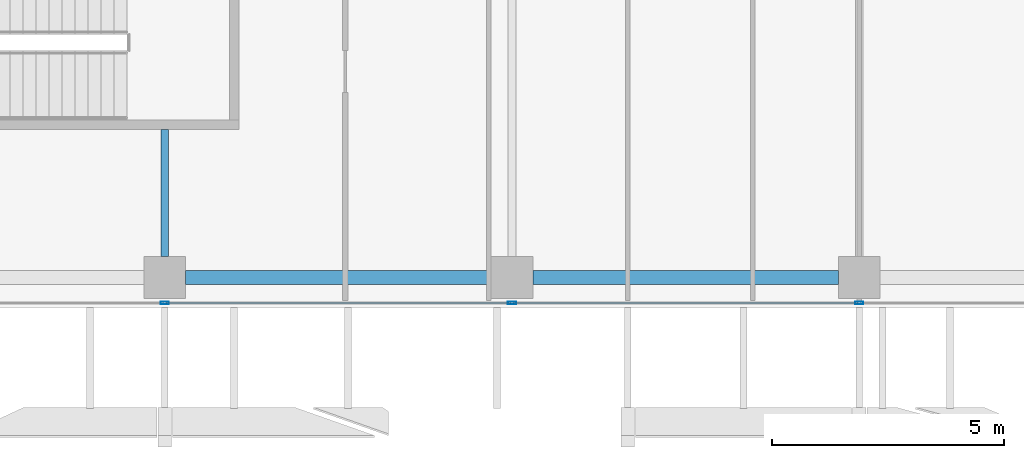
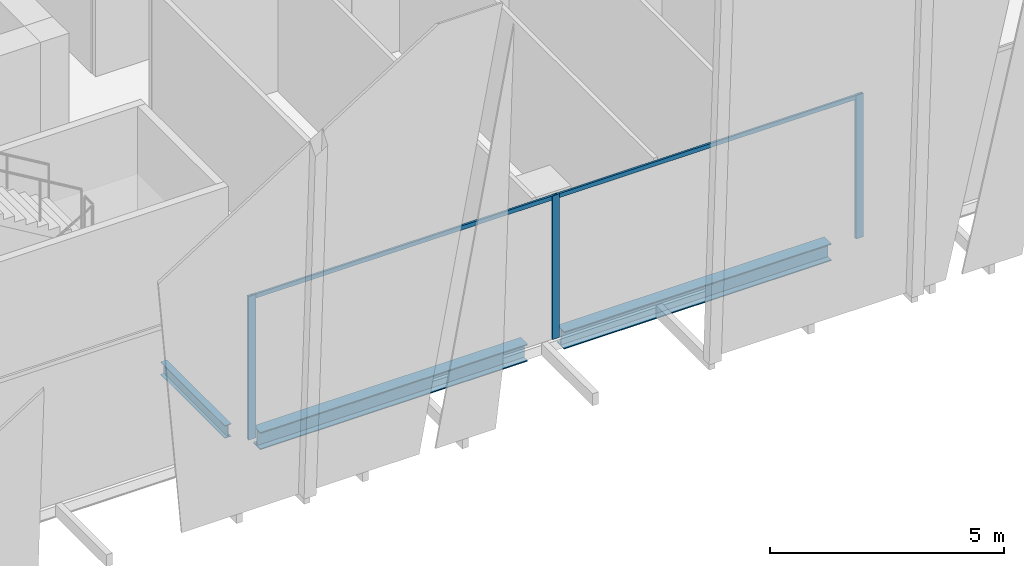
# One storey, part 4 of 35: 5 members, 3 beams, 1 element without a shape of its own.
"""IFC4 building model written with IfcOpenShell, lengths in metres."""

from ifc_helpers import new_model, si_unit, direction, frame, origin, origin_2d, place, context, subcontext, project, spatial, hollow_rectangle, i_section, extrude, source, transform, mapped, material, material_profile, profile_set, type_object, element, aggregate, save


model = new_model("IFC4")

# Units and contexts
model_context = context("Model", 3, precision=1e-05, world=origin(), true_north=direction((0.0, 1.0)))
body_context = subcontext(model_context, "Body", "Model", "MODEL_VIEW")
ifc_project = project(units=[si_unit("LENGTHUNIT", "METRE"), si_unit("AREAUNIT", "SQUARE_METRE"), si_unit("VOLUMEUNIT", "CUBIC_METRE"), si_unit("PLANEANGLEUNIT", "RADIAN"), si_unit("MASSUNIT", "GRAM", prefix="KILO")], contexts=[model_context])

# Site, building, storey
site_placement = place(None, origin())
site = spatial("IfcSite", under=ifc_project, at=site_placement, CompositionType="ELEMENT")
building_placement = place(site_placement, origin())
building = spatial("IfcBuilding", under=site, at=building_placement, Name="Khomas Fold Tower", CompositionType="ELEMENT")
storey_placement = place(building_placement, frame((0.0, 0.0, 246.199951171875)))
storey = spatial("IfcBuildingStorey", under=building, at=storey_placement, Name="L55", CompositionType="ELEMENT", Elevation=246.199951171875)

# Beams
ifc_material_1 = material(Name="Steel S355", Category="steel")
ifc_material_profile_1 = material_profile(ifc_material_1, i_section(OverallWidth=0.159912109375, OverallDepth=0.330078125, WebThickness=0.007568359375, FlangeThickness=0.011474609375, at=origin_2d()), Name="IPE 330")
ifc_profile_set_1 = profile_set([ifc_material_profile_1], Name="Steel S355")
beam_type_1 = type_object("IfcBeamType", Name="IPE 330 beam JB1", PredefinedType="BEAM", material=ifc_profile_set_1)
shared_shape_1 = source(origin(), body_context, "Body", "SweptSolid", [
    extrude(i_section(OverallWidth=0.159912109375, OverallDepth=0.330078125, WebThickness=0.007568359375, FlangeThickness=0.011474609375, at=origin_2d()), origin(), (0.0, 0.0, 1.0), 2.75),
])
beam_placement = place(storey_placement, frame((19.5, 5.60009765625, -0.4150390625), z_axis=(0.0, 1.0, 0.0), x_axis=(-1.0, 0.0, 0.0)))
element("IfcBeam", 1, at=beam_placement, inside=storey, type_object=beam_type_1, Name="JB1", PredefinedType="BEAM", context=body_context, shape_type="MappedRepresentation", body=[
    mapped(shared_shape_1, transform((0.0, 0.0, 0.0))),
])
ifc_material_2 = material(Name="Steel S355", Category="steel")
ifc_material_profile_2 = material_profile(ifc_material_2, i_section(OverallWidth=0.300048828125, OverallDepth=0.449951171875, WebThickness=0.013916015625, FlangeThickness=0.02587890625, at=origin_2d()), Name="HE 450 B")
ifc_profile_set_2 = profile_set([ifc_material_profile_2], Name="Steel S355")
beam_type_2 = type_object("IfcBeamType", Name="HE 450 B spandrel SB4", PredefinedType="SPANDREL", material=ifc_profile_set_2)
shared_shape_2 = source(origin(), body_context, "Body", "SweptSolid", [
    extrude(i_section(OverallWidth=0.300048828125, OverallDepth=0.449951171875, WebThickness=0.013916015625, FlangeThickness=0.02587890625, at=origin_2d()), origin(), (0.0, 0.0, 1.0), 6.60009765625),
])
for number, where, z_axis, x_axis, name in (
    (2, (19.949951171875, 5.14990234375, -0.474853515625), (1.0, 0.0, 0.0), (0.0, 1.0, 0.0), "SB4"),
    (3, (27.449951171875, 5.14990234375, -0.474853515625), (1.0, 0.0, 0.0), (0.0, 1.0, 0.0), "SB4"),
):
    element("IfcBeam", number, at=place(storey_placement, frame(where, z_axis=z_axis, x_axis=x_axis)), inside=storey, type_object=beam_type_2, Name=name, PredefinedType="SPANDREL", context=body_context, shape_type="MappedRepresentation", body=[
        mapped(shared_shape_2, transform((0.0, 0.0, 0.0))),
    ])

# Curtain wall, members
ifc_material_3 = material(Name="Aluminium framed double glazing", Category="aluminium")
curtain_wall_type = type_object("IfcCurtainWallType", Name="SK-Unitised clear-glass wall, office floors CW2", PredefinedType="NOTDEFINED", material=ifc_material_3)
curtain_wall_placement = place(storey_placement, origin())
curtain_wall = element("IfcCurtainWall", 4, at=curtain_wall_placement, inside=storey, type_object=curtain_wall_type, Name="CW2 run L55 00-0", PredefinedType="NOTDEFINED")
ifc_material_4 = material(Name="Aluminium", Category="aluminium")
ifc_material_profile_3 = material_profile(ifc_material_4, hollow_rectangle(XDim=0.06005859375, YDim=0.179931640625, WallThickness=0.00390625, at=origin_2d()), Name="SK-Unitised clear-glass wall, office floors mullion CW2-M")
ifc_profile_set_3 = profile_set([ifc_material_profile_3], Name="Aluminium")
member_type_1 = type_object("IfcMemberType", Name="SK-Unitised clear-glass wall, office floors mullion CW2-M", PredefinedType="MULLION", material=ifc_profile_set_3)
shared_shape_3 = source(origin(), body_context, "Body", "SweptSolid", [
    extrude(hollow_rectangle(XDim=0.06005859375, YDim=0.179931640625, WallThickness=0.00390625, at=origin_2d()), origin(), (0.0, 0.0, 1.0), 3.75),
])
member_1_placement = place(storey_placement, frame((19.5, 4.60009765625, 0.0), z_axis=(0.0, 0.0, 1.0), x_axis=(0.0, 1.0, 0.0)))
member_1 = element("IfcMember", 5, at=member_1_placement, type_object=member_type_1, Name="CW2 mullion 3", PredefinedType="MULLION", context=body_context, shape_type="MappedRepresentation", body=[
    mapped(shared_shape_3, transform((0.0, 0.0, 0.0))),
])
member_2_placement = place(storey_placement, frame((27.0, 4.60009765625, 0.0), z_axis=(0.0, 0.0, 1.0), x_axis=(0.0, 1.0, 0.0)))
member_2 = element("IfcMember", 6, at=member_2_placement, type_object=member_type_1, Name="CW2 mullion 4", PredefinedType="MULLION", context=body_context, shape_type="MappedRepresentation", body=[
    mapped(shared_shape_3, transform((0.0, 0.0, 0.0))),
])
member_3_placement = place(storey_placement, frame((34.5, 4.60009765625, 0.0), z_axis=(0.0, 0.0, 1.0), x_axis=(0.0, 1.0, 0.0)))
member_3 = element("IfcMember", 7, at=member_3_placement, type_object=member_type_1, Name="CW2 mullion 5", PredefinedType="MULLION", context=body_context, shape_type="MappedRepresentation", body=[
    mapped(shared_shape_3, transform((0.0, 0.0, 0.0))),
])
ifc_material_5 = material(Name="Aluminium", Category="aluminium")
ifc_material_profile_4 = material_profile(ifc_material_5, hollow_rectangle(XDim=0.050048828125, YDim=0.110107421875, WallThickness=0.00390625, at=origin_2d()), Name="SK-Unitised clear-glass wall, office floors transom CW2-T")
ifc_profile_set_4 = profile_set([ifc_material_profile_4], Name="Aluminium")
member_type_2 = type_object("IfcMemberType", Name="SK-Unitised clear-glass wall, office floors transom CW2-T", PredefinedType="USERDEFINED", material=ifc_profile_set_4)
shared_shape_4 = source(origin(), body_context, "Body", "SweptSolid", [
    extrude(hollow_rectangle(XDim=0.050048828125, YDim=0.110107421875, WallThickness=0.00390625, at=origin_2d()), origin(), (0.0, 0.0, 1.0), 7.43994140625),
])
member_4_placement = place(storey_placement, frame((19.530029296875, 4.60009765625, 3.695068359375), z_axis=(1.0, 0.0, 0.0), x_axis=(0.0, 1.0, 0.0)))
member_4 = element("IfcMember", 8, at=member_4_placement, type_object=member_type_2, Name="CW2 transom 3", ObjectType="TRANSOM", PredefinedType="USERDEFINED", context=body_context, shape_type="MappedRepresentation", body=[
    mapped(shared_shape_4, transform((0.0, 0.0, 0.0))),
])
member_5_placement = place(storey_placement, frame((27.030029296875, 4.60009765625, 3.695068359375), z_axis=(1.0, 0.0, 0.0), x_axis=(0.0, 1.0, 0.0)))
member_5 = element("IfcMember", 9, at=member_5_placement, type_object=member_type_2, Name="CW2 transom 4", ObjectType="TRANSOM", PredefinedType="USERDEFINED", context=body_context, shape_type="MappedRepresentation", body=[
    mapped(shared_shape_4, transform((0.0, 0.0, 0.0))),
])
aggregate(curtain_wall, [member_1, member_2, member_3, member_4, member_5])

save(model, "model.ifc")
